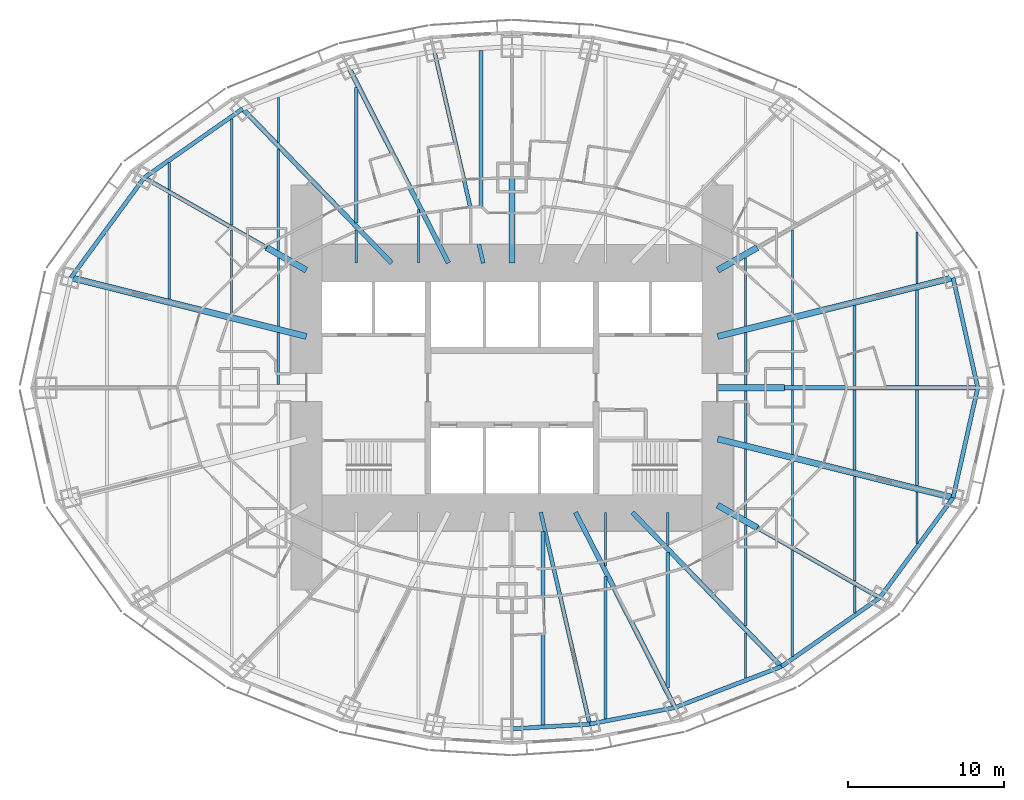
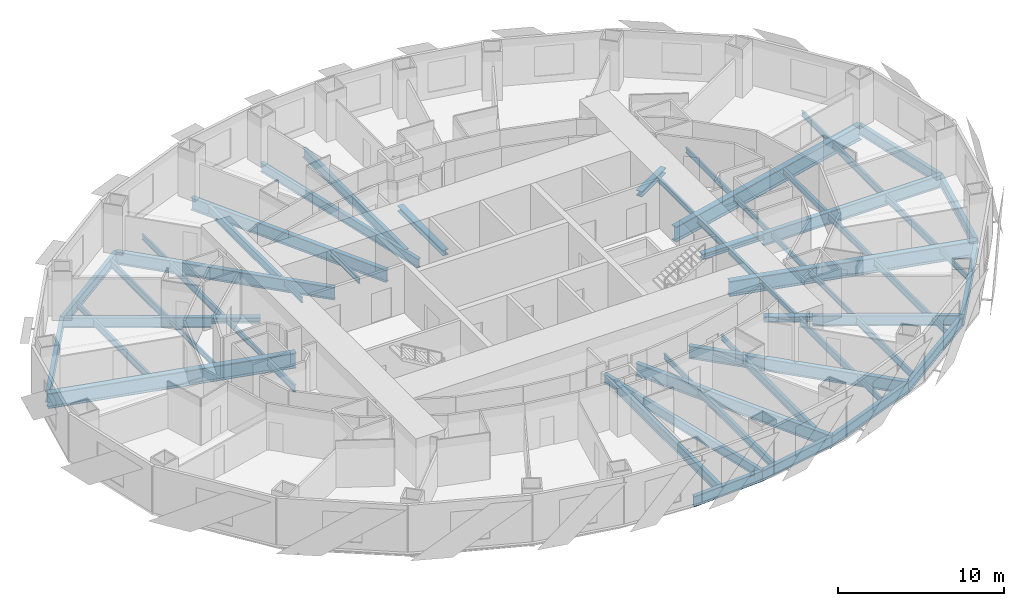
# One storey, part 2 of 15: 62 beams.
"""IFC4 building model written with IfcOpenShell, lengths in metres."""

from ifc_helpers import new_model, si_unit, direction, frame, origin, origin_2d, place, context, subcontext, project, spatial, i_section, extrude, material, material_profile, profile_set, type_object, element, save


model = new_model("IFC4")

# Units and contexts
model_context = context("Model", 3, precision=1e-05, world=origin(), true_north=direction((0.0, 1.0)))
body_context = subcontext(model_context, "Body", "Model", "MODEL_VIEW")
ifc_project = project(units=[si_unit("LENGTHUNIT", "METRE"), si_unit("AREAUNIT", "SQUARE_METRE"), si_unit("VOLUMEUNIT", "CUBIC_METRE"), si_unit("PLANEANGLEUNIT", "RADIAN"), si_unit("MASSUNIT", "GRAM", prefix="KILO")], contexts=[model_context])

# Site, building, storey
site_placement = place(None, origin())
site = spatial("IfcSite", under=ifc_project, at=site_placement, CompositionType="ELEMENT")
building_placement = place(site_placement, origin())
building = spatial("IfcBuilding", under=site, at=building_placement, Name="Lantaw Convention Tower", CompositionType="ELEMENT")
storey_placement = place(building_placement, frame((0.0, 0.0, 47.800048828125)))
storey = spatial("IfcBuildingStorey", under=building, at=storey_placement, Name="L09", CompositionType="ELEMENT", Elevation=47.800048828125)

# Beams
ifc_material = material(Name="Steel ASTM A992", Category="steel")
ifc_material_profile_1 = material_profile(ifc_material, i_section(OverallWidth=0.2666015625, OverallDepth=0.76953125, WebThickness=0.015625, FlangeThickness=0.025390625, FilletRadius=0.0126953125, at=origin_2d()), Name="W30X132")
ifc_profile_set_1 = profile_set([ifc_material_profile_1], Name="Steel ASTM A992")
beam_type_1 = type_object("IfcBeamType", Name="Beam E W30X132", PredefinedType="SPANDREL", material=ifc_profile_set_1)
beam_1_placement = place(storey_placement, frame((29.89990234375, 0.0, -0.534912109375), z_axis=(-0.218652184873, 0.975802860239, 0.0), x_axis=(-0.975802860239, -0.218652184873, 0.0)))
element("IfcBeam", 1, at=beam_1_placement, inside=storey, type_object=beam_type_1, Name="Edge beam 1", PredefinedType="SPANDREL", context=body_context, shape_type="SweptSolid", body=[
    extrude(i_section(OverallWidth=0.2666015625, OverallDepth=0.76953125, WebThickness=0.015625, FlangeThickness=0.025390625, FilletRadius=0.0126953125, at=origin_2d()), origin(), (0.0, 0.0, 1.0), 7.2353515625),
])
beam_2_placement = place(storey_placement, frame((-17.290771484375, 17.9052734375, -0.534912109375), z_axis=(-0.81942686407, -0.57318375277, 0.0), x_axis=(0.57318375277, -0.81942686407, 0.0)))
element("IfcBeam", 2, at=beam_2_placement, inside=storey, type_object=beam_type_1, Name="Edge beam 10", PredefinedType="SPANDREL", context=body_context, shape_type="SweptSolid", body=[
    extrude(i_section(OverallWidth=0.2666015625, OverallDepth=0.76953125, WebThickness=0.015625, FlangeThickness=0.025390625, FilletRadius=0.0126953125, at=origin_2d()), origin(), (0.0, 0.0, 1.0), 7.70556640625),
])
beam_3_placement = place(storey_placement, frame((-23.60498046875, 13.488525390625, -0.534912109375), z_axis=(-0.591270709086, -0.806473154281, 0.0), x_axis=(0.806473154281, -0.591270709086, 0.0)))
element("IfcBeam", 3, at=beam_3_placement, inside=storey, type_object=beam_type_1, Name="Edge beam 11", PredefinedType="SPANDREL", context=body_context, shape_type="SweptSolid", body=[
    extrude(i_section(OverallWidth=0.2666015625, OverallDepth=0.76953125, WebThickness=0.015625, FlangeThickness=0.025390625, FilletRadius=0.0126953125, at=origin_2d()), origin(), (0.0, 0.0, 1.0), 7.970703125),
])
beam_4_placement = place(storey_placement, frame((0.0, -21.89990234375, -0.534912109375), z_axis=(0.998173858406, 0.060406526096, 0.0), x_axis=(-0.060406526096, 0.998173858406, 0.0)))
element("IfcBeam", 4, at=beam_4_placement, inside=storey, type_object=beam_type_1, Name="Edge beam 19", PredefinedType="SPANDREL", context=body_context, shape_type="SweptSolid", body=[
    extrude(i_section(OverallWidth=0.2666015625, OverallDepth=0.76953125, WebThickness=0.015625, FlangeThickness=0.025390625, FilletRadius=0.0126953125, at=origin_2d()), origin(), (0.0, 0.0, 1.0), 4.995361328125),
])
beam_5_placement = place(storey_placement, frame((4.986328125, -21.59814453125, -0.534912109375), z_axis=(0.981636565323, 0.190760723474, 0.0), x_axis=(-0.190760723474, 0.981636565323, 0.0)))
element("IfcBeam", 5, at=beam_5_placement, inside=storey, type_object=beam_type_1, Name="Edge beam 20", PredefinedType="SPANDREL", context=body_context, shape_type="SweptSolid", body=[
    extrude(i_section(OverallWidth=0.2666015625, OverallDepth=0.76953125, WebThickness=0.015625, FlangeThickness=0.025390625, FilletRadius=0.0126953125, at=origin_2d()), origin(), (0.0, 0.0, 1.0), 5.578857421875),
])
beam_6_placement = place(storey_placement, frame((10.462646484375, -20.533935546875, -0.534912109375), z_axis=(0.933232900641, 0.359271976588, 0.0), x_axis=(-0.359271976588, 0.933232900641, 0.0)))
element("IfcBeam", 6, at=beam_6_placement, inside=storey, type_object=beam_type_1, Name="Edge beam 21", PredefinedType="SPANDREL", context=body_context, shape_type="SweptSolid", body=[
    extrude(i_section(OverallWidth=0.2666015625, OverallDepth=0.76953125, WebThickness=0.015625, FlangeThickness=0.025390625, FilletRadius=0.0126953125, at=origin_2d()), origin(), (0.0, 0.0, 1.0), 7.316650390625),
])
beam_7_placement = place(storey_placement, frame((17.290771484375, -17.9052734375, -0.534912109375), z_axis=(0.81942686407, 0.57318375277, 0.0), x_axis=(-0.57318375277, 0.81942686407, 0.0)))
element("IfcBeam", 7, at=beam_7_placement, inside=storey, type_object=beam_type_1, Name="Edge beam 22", PredefinedType="SPANDREL", context=body_context, shape_type="SweptSolid", body=[
    extrude(i_section(OverallWidth=0.2666015625, OverallDepth=0.76953125, WebThickness=0.015625, FlangeThickness=0.025390625, FilletRadius=0.0126953125, at=origin_2d()), origin(), (0.0, 0.0, 1.0), 7.70556640625),
])
beam_8_placement = place(storey_placement, frame((23.60498046875, -13.488525390625, -0.534912109375), z_axis=(0.591270709086, 0.806473154281, 0.0), x_axis=(-0.806473154281, 0.591270709086, 0.0)))
element("IfcBeam", 8, at=beam_8_placement, inside=storey, type_object=beam_type_1, Name="Edge beam 23", PredefinedType="SPANDREL", context=body_context, shape_type="SweptSolid", body=[
    extrude(i_section(OverallWidth=0.2666015625, OverallDepth=0.76953125, WebThickness=0.015625, FlangeThickness=0.025390625, FilletRadius=0.0126953125, at=origin_2d()), origin(), (0.0, 0.0, 1.0), 7.970703125),
])
beam_9_placement = place(storey_placement, frame((28.31787109375, -7.060302734375, -0.534912109375), z_axis=(0.218652184873, 0.975802860239, 0.0), x_axis=(-0.975802860239, 0.218652184873, 0.0)))
element("IfcBeam", 9, at=beam_9_placement, inside=storey, type_object=beam_type_1, Name="Edge beam 24", PredefinedType="SPANDREL", context=body_context, shape_type="SweptSolid", body=[
    extrude(i_section(OverallWidth=0.2666015625, OverallDepth=0.76953125, WebThickness=0.015625, FlangeThickness=0.025390625, FilletRadius=0.0126953125, at=origin_2d()), origin(), (0.0, 0.0, 1.0), 7.2353515625),
])
ifc_material_profile_2 = material_profile(ifc_material, i_section(OverallWidth=0.25390625, OverallDepth=0.683349609375, WebThickness=0.012451171875, FlangeThickness=0.01904296875, FilletRadius=0.01513671875, at=origin_2d()), Name="W27X94")
ifc_profile_set_2 = profile_set([ifc_material_profile_2], Name="Steel ASTM A992")
beam_type_2 = type_object("IfcBeamType", Name="Beam G W27X94", PredefinedType="BEAM", material=ifc_profile_set_2)
for number, where, z_axis, x_axis, name in (
    (10, (-1.846923828125, 8.0, -0.49169921875), (-0.224952773175, 0.97436966796, 0.0), (-0.97436966796, -0.224952773175, 0.0), "Floor girder on ray 8"),
    (11, (1.846923828125, -8.0, -0.49169921875), (0.224952773175, -0.97436966796, 0.0), (0.97436966796, 0.224952773175, 0.0), "Floor girder on ray 20"),
):
    element("IfcBeam", number, at=place(storey_placement, frame(where, z_axis=z_axis, x_axis=x_axis)), inside=storey, type_object=beam_type_2, Name=name, PredefinedType="BEAM", context=body_context, shape_type="SweptSolid", body=[
        extrude(i_section(OverallWidth=0.25390625, OverallDepth=0.683349609375, WebThickness=0.012451171875, FlangeThickness=0.01904296875, FilletRadius=0.01513671875, at=origin_2d()), origin(), (0.0, 0.0, 1.0), 13.955810546875),
    ])
ifc_material_profile_3 = material_profile(ifc_material, i_section(OverallWidth=0.2666015625, OverallDepth=0.7568359375, WebThickness=0.013916015625, FlangeThickness=0.019287109375, FilletRadius=0.0126953125, at=origin_2d()), Name="W30X108")
ifc_profile_set_3 = profile_set([ifc_material_profile_3], Name="Steel ASTM A992")
beam_type_3 = type_object("IfcBeamType", Name="Beam G W30X108", PredefinedType="BEAM", material=ifc_profile_set_3)
for number, where, z_axis, x_axis, name in (
    (12, (-15.75, 9.0, -0.528564453125), (-0.868244802791, 0.496136032179, 0.0), (-0.496136032179, -0.868244802791, 0.0), "Floor girder on ray 11"),
    (13, (15.75, -9.0, -0.528564453125), (0.868244802791, -0.496136032179, 0.0), (0.496136032179, 0.868244802791, 0.0), "Floor girder on ray 23"),
):
    element("IfcBeam", number, at=place(storey_placement, frame(where, z_axis=z_axis, x_axis=x_axis)), inside=storey, type_object=beam_type_3, Name=name, PredefinedType="BEAM", context=body_context, shape_type="SweptSolid", body=[
        extrude(i_section(OverallWidth=0.2666015625, OverallDepth=0.7568359375, WebThickness=0.013916015625, FlangeThickness=0.019287109375, FilletRadius=0.0126953125, at=origin_2d()), origin(), (0.0, 0.0, 1.0), 9.046875),
    ])
ifc_material_profile_4 = material_profile(ifc_material, i_section(OverallWidth=0.307373046875, OverallDepth=0.922119140625, WebThickness=0.018310546875, FlangeThickness=0.030029296875, FilletRadius=0.0126953125, at=origin_2d()), Name="W36X182")
ifc_profile_set_4 = profile_set([ifc_material_profile_4], Name="Steel ASTM A992")
beam_type_4 = type_object("IfcBeamType", Name="Beam G W36X182", PredefinedType="BEAM", material=ifc_profile_set_4)
beam_10_placement = place(storey_placement, frame((17.5, 0.0, -0.611083984375), z_axis=(1.0, 0.0, 0.0), x_axis=(0.0, 1.0, 0.0)))
element("IfcBeam", 14, at=beam_10_placement, inside=storey, type_object=beam_type_4, Name="Floor girder on ray 1", PredefinedType="BEAM", context=body_context, shape_type="SweptSolid", body=[
    extrude(i_section(OverallWidth=0.307373046875, OverallDepth=0.922119140625, WebThickness=0.018310546875, FlangeThickness=0.030029296875, FilletRadius=0.0126953125, at=origin_2d()), origin(), (0.0, 0.0, 1.0), 12.39990234375),
])
beam_11_placement = place(storey_placement, frame((-4.076171875, 8.0, -0.611083984375), z_axis=(-0.453997016122, 0.891003203896, 0.0), x_axis=(-0.891003203896, -0.453997016122, 0.0)))
element("IfcBeam", 15, at=beam_11_placement, inside=storey, type_object=beam_type_4, Name="Floor girder on ray 9", PredefinedType="BEAM", context=body_context, shape_type="SweptSolid", body=[
    extrude(i_section(OverallWidth=0.307373046875, OverallDepth=0.922119140625, WebThickness=0.018310546875, FlangeThickness=0.030029296875, FilletRadius=0.0126953125, at=origin_2d()), origin(), (0.0, 0.0, 1.0), 14.067138671875),
])
beam_12_placement = place(storey_placement, frame((-7.7255859375, 8.0, -0.611083984375), z_axis=(-0.694649884291, 0.719347995239, 0.0), x_axis=(-0.719347995239, -0.694649884291, 0.0)))
element("IfcBeam", 16, at=beam_12_placement, inside=storey, type_object=beam_type_4, Name="Floor girder on ray 10", PredefinedType="BEAM", context=body_context, shape_type="SweptSolid", body=[
    extrude(i_section(OverallWidth=0.307373046875, OverallDepth=0.922119140625, WebThickness=0.018310546875, FlangeThickness=0.030029296875, FilletRadius=0.0126953125, at=origin_2d()), origin(), (0.0, 0.0, 1.0), 13.769775390625),
])
beam_13_placement = place(storey_placement, frame((4.076171875, -8.0, -0.611083984375), z_axis=(0.453997016122, -0.891003203896, 0.0), x_axis=(0.891003203896, 0.453997016122, 0.0)))
element("IfcBeam", 17, at=beam_13_placement, inside=storey, type_object=beam_type_4, Name="Floor girder on ray 21", PredefinedType="BEAM", context=body_context, shape_type="SweptSolid", body=[
    extrude(i_section(OverallWidth=0.307373046875, OverallDepth=0.922119140625, WebThickness=0.018310546875, FlangeThickness=0.030029296875, FilletRadius=0.0126953125, at=origin_2d()), origin(), (0.0, 0.0, 1.0), 14.067138671875),
])
beam_14_placement = place(storey_placement, frame((7.7255859375, -8.0, -0.611083984375), z_axis=(0.694649884291, -0.719347995239, 0.0), x_axis=(0.719347995239, 0.694649884291, 0.0)))
element("IfcBeam", 18, at=beam_14_placement, inside=storey, type_object=beam_type_4, Name="Floor girder on ray 22", PredefinedType="BEAM", context=body_context, shape_type="SweptSolid", body=[
    extrude(i_section(OverallWidth=0.307373046875, OverallDepth=0.922119140625, WebThickness=0.018310546875, FlangeThickness=0.030029296875, FilletRadius=0.0126953125, at=origin_2d()), origin(), (0.0, 0.0, 1.0), 13.769775390625),
])
ifc_material_profile_5 = material_profile(ifc_material, i_section(OverallWidth=0.40380859375, OverallDepth=1.11767578125, WebThickness=0.026123046875, FlangeThickness=0.044921875, FilletRadius=0.02001953125, at=origin_2d()), Name="W44X335")
ifc_profile_set_5 = profile_set([ifc_material_profile_5], Name="Steel ASTM A992")
beam_type_5 = type_object("IfcBeamType", Name="Beam G W44X335", PredefinedType="BEAM", material=ifc_profile_set_5)
for number, where, z_axis, x_axis, name in (
    (19, (13.199951171875, 3.291015625, -0.708740234375), (0.970296233567, 0.241919860957, 0.0), (-0.241919860957, 0.970296233567, 0.0), "Floor girder on ray 2"),
    (20, (-13.199951171875, 3.291015625, -0.708740234375), (-0.970296233567, 0.241919860957, 0.0), (-0.241919860957, -0.970296233567, 0.0), "Floor girder on ray 12"),
    (21, (13.199951171875, -3.291015625, -0.708740234375), (0.970296233567, -0.241919860957, 0.0), (0.241919860957, 0.970296233567, 0.0), "Floor girder on ray 24"),
):
    element("IfcBeam", number, at=place(storey_placement, frame(where, z_axis=z_axis, x_axis=x_axis)), inside=storey, type_object=beam_type_5, Name=name, PredefinedType="BEAM", context=body_context, shape_type="SweptSolid", body=[
        extrude(i_section(OverallWidth=0.40380859375, OverallDepth=1.11767578125, WebThickness=0.026123046875, FlangeThickness=0.044921875, FilletRadius=0.02001953125, at=origin_2d()), origin(), (0.0, 0.0, 1.0), 15.580810546875),
    ])
ifc_material_profile_6 = material_profile(ifc_material, i_section(OverallWidth=0.40380859375, OverallDepth=0.406494140625, WebThickness=0.027099609375, FlangeThickness=0.043701171875, FilletRadius=0.01513671875, at=origin_2d()), Name="W14X233")
ifc_profile_set_6 = profile_set([ifc_material_profile_6], Name="Steel ASTM A992")
beam_type_6 = type_object("IfcBeamType", Name="Beam GM W14X233", PredefinedType="BEAM", material=ifc_profile_set_6)
beam_15_placement = place(storey_placement, frame((13.199951171875, 0.0, -0.353271484375), z_axis=(1.0, 0.0, 0.0), x_axis=(0.0, 1.0, 0.0)))
element("IfcBeam", 22, at=beam_15_placement, inside=storey, type_object=beam_type_6, Name="Core link beam on ray 1", PredefinedType="BEAM", context=body_context, shape_type="SweptSolid", body=[
    extrude(i_section(OverallWidth=0.40380859375, OverallDepth=0.406494140625, WebThickness=0.027099609375, FlangeThickness=0.043701171875, FilletRadius=0.01513671875, at=origin_2d()), origin(), (0.0, 0.0, 1.0), 4.300048828125),
])
beam_16_placement = place(storey_placement, frame((13.199951171875, 7.54296875, -0.353271484375), z_axis=(0.868263603466, 0.496103129295, 0.0), x_axis=(-0.496103129295, 0.868263603466, 0.0)))
element("IfcBeam", 23, at=beam_16_placement, inside=storey, type_object=beam_type_6, Name="Core link beam on ray 3", PredefinedType="BEAM", context=body_context, shape_type="SweptSolid", body=[
    extrude(i_section(OverallWidth=0.40380859375, OverallDepth=0.406494140625, WebThickness=0.027099609375, FlangeThickness=0.043701171875, FilletRadius=0.01513671875, at=origin_2d()), origin(), (0.0, 0.0, 1.0), 2.93701171875),
])
beam_17_placement = place(storey_placement, frame((0.0, 8.0, -0.353271484375), z_axis=(0.0, 1.0, 0.0), x_axis=(-1.0, 0.0, 0.0)))
element("IfcBeam", 24, at=beam_17_placement, inside=storey, type_object=beam_type_6, Name="Core link beam on ray 7", PredefinedType="BEAM", context=body_context, shape_type="SweptSolid", body=[
    extrude(i_section(OverallWidth=0.40380859375, OverallDepth=0.406494140625, WebThickness=0.027099609375, FlangeThickness=0.043701171875, FilletRadius=0.01513671875, at=origin_2d()), origin(), (0.0, 0.0, 1.0), 5.5),
])
for number, where, z_axis, x_axis, name in (
    (25, (-13.199951171875, 7.54296875, -0.353271484375), (-0.868263603466, 0.496103129295, 0.0), (-0.496103129295, -0.868263603466, 0.0), "Core link beam on ray 11"),
    (26, (13.199951171875, -7.54296875, -0.353271484375), (0.868263603466, -0.496103129295, 0.0), (0.496103129295, 0.868263603466, 0.0), "Core link beam on ray 23"),
):
    element("IfcBeam", number, at=place(storey_placement, frame(where, z_axis=z_axis, x_axis=x_axis)), inside=storey, type_object=beam_type_6, Name=name, PredefinedType="BEAM", context=body_context, shape_type="SweptSolid", body=[
        extrude(i_section(OverallWidth=0.40380859375, OverallDepth=0.406494140625, WebThickness=0.027099609375, FlangeThickness=0.043701171875, FilletRadius=0.01513671875, at=origin_2d()), origin(), (0.0, 0.0, 1.0), 2.93701171875),
    ])
ifc_material_profile_7 = material_profile(ifc_material, i_section(OverallWidth=0.140380859375, OverallDepth=0.40380859375, WebThickness=0.007080078125, FlangeThickness=0.01123046875, FilletRadius=0.01025390625, at=origin_2d()), Name="W16X31")
ifc_profile_set_7 = profile_set([ifc_material_profile_7], Name="Steel ASTM A992")
beam_type_7 = type_object("IfcBeamType", Name="Beam J W16X31", PredefinedType="JOIST", material=ifc_profile_set_7)
beam_18_placement = place(storey_placement, frame((-22.0, 12.72509765625, -0.35205078125), z_axis=(0.0, 1.0, 0.0), x_axis=(-1.0, 0.0, 0.0)))
element("IfcBeam", 27, at=beam_18_placement, inside=storey, type_object=beam_type_7, Name="Floor joist", PredefinedType="JOIST", context=body_context, shape_type="SweptSolid", body=[
    extrude(i_section(OverallWidth=0.140380859375, OverallDepth=0.40380859375, WebThickness=0.007080078125, FlangeThickness=0.01123046875, FilletRadius=0.01025390625, at=origin_2d()), origin(), (0.0, 0.0, 1.0), 1.723388671875),
])
beam_19_placement = place(storey_placement, frame((-18.0, 4.696044921875, -0.35205078125), z_axis=(0.0, 1.0, 0.0), x_axis=(-1.0, 0.0, 0.0)))
element("IfcBeam", 28, at=beam_19_placement, inside=storey, type_object=beam_type_7, Name="Floor joist", PredefinedType="JOIST", context=body_context, shape_type="SweptSolid", body=[
    extrude(i_section(OverallWidth=0.140380859375, OverallDepth=0.40380859375, WebThickness=0.007080078125, FlangeThickness=0.01123046875, FilletRadius=0.01025390625, at=origin_2d()), origin(), (0.0, 0.0, 1.0), 5.43603515625),
])
beam_20_placement = place(storey_placement, frame((-15.0, 3.947998046875, -0.35205078125), z_axis=(0.0, 1.0, 0.0), x_axis=(-1.0, 0.0, 0.0)))
element("IfcBeam", 29, at=beam_20_placement, inside=storey, type_object=beam_type_7, Name="Floor joist", PredefinedType="JOIST", context=body_context, shape_type="SweptSolid", body=[
    extrude(i_section(OverallWidth=0.140380859375, OverallDepth=0.40380859375, WebThickness=0.007080078125, FlangeThickness=0.01123046875, FilletRadius=0.01025390625, at=origin_2d()), origin(), (0.0, 0.0, 1.0), 4.390869140625),
])
beam_21_placement = place(storey_placement, frame((-15.0, 15.754150390625, -0.35205078125), z_axis=(0.0, 1.0, 0.0), x_axis=(-1.0, 0.0, 0.0)))
element("IfcBeam", 30, at=beam_21_placement, inside=storey, type_object=beam_type_7, Name="Floor joist", PredefinedType="JOIST", context=body_context, shape_type="SweptSolid", body=[
    extrude(i_section(OverallWidth=0.140380859375, OverallDepth=0.40380859375, WebThickness=0.007080078125, FlangeThickness=0.01123046875, FilletRadius=0.01025390625, at=origin_2d()), origin(), (0.0, 0.0, 1.0), 2.89013671875),
])
beam_22_placement = place(storey_placement, frame((-10.0, 8.0, -0.35205078125), z_axis=(0.0, 1.0, 0.0), x_axis=(-1.0, 0.0, 0.0)))
element("IfcBeam", 31, at=beam_22_placement, inside=storey, type_object=beam_type_7, Name="Floor joist", PredefinedType="JOIST", context=body_context, shape_type="SweptSolid", body=[
    extrude(i_section(OverallWidth=0.140380859375, OverallDepth=0.40380859375, WebThickness=0.007080078125, FlangeThickness=0.01123046875, FilletRadius=0.01025390625, at=origin_2d()), origin(), (0.0, 0.0, 1.0), 2.134033203125),
])
for number, where, z_axis, x_axis, name in (
    (32, (-6.0, 8.0, -0.35205078125), (0.0, 1.0, 0.0), (-1.0, 0.0, 0.0), "Floor joist"),
    (33, (6.0, -11.437255859375, -0.35205078125), (0.0, 1.0, 0.0), (-1.0, 0.0, 0.0), "Floor joist"),
):
    element("IfcBeam", number, at=place(storey_placement, frame(where, z_axis=z_axis, x_axis=x_axis)), inside=storey, type_object=beam_type_7, Name=name, PredefinedType="JOIST", context=body_context, shape_type="SweptSolid", body=[
        extrude(i_section(OverallWidth=0.140380859375, OverallDepth=0.40380859375, WebThickness=0.007080078125, FlangeThickness=0.01123046875, FilletRadius=0.01025390625, at=origin_2d()), origin(), (0.0, 0.0, 1.0), 3.437255859375),
    ])
beam_23_placement = place(storey_placement, frame((10.0, -10.134033203125, -0.35205078125), z_axis=(0.0, 1.0, 0.0), x_axis=(-1.0, 0.0, 0.0)))
element("IfcBeam", 34, at=beam_23_placement, inside=storey, type_object=beam_type_7, Name="Floor joist", PredefinedType="JOIST", context=body_context, shape_type="SweptSolid", body=[
    extrude(i_section(OverallWidth=0.140380859375, OverallDepth=0.40380859375, WebThickness=0.007080078125, FlangeThickness=0.01123046875, FilletRadius=0.01025390625, at=origin_2d()), origin(), (0.0, 0.0, 1.0), 2.134033203125),
])
beam_24_placement = place(storey_placement, frame((15.0, -18.644287109375, -0.35205078125), z_axis=(0.0, 1.0, 0.0), x_axis=(-1.0, 0.0, 0.0)))
element("IfcBeam", 35, at=beam_24_placement, inside=storey, type_object=beam_type_7, Name="Floor joist", PredefinedType="JOIST", context=body_context, shape_type="SweptSolid", body=[
    extrude(i_section(OverallWidth=0.140380859375, OverallDepth=0.40380859375, WebThickness=0.007080078125, FlangeThickness=0.01123046875, FilletRadius=0.01025390625, at=origin_2d()), origin(), (0.0, 0.0, 1.0), 2.89013671875),
])
for number, where, z_axis, x_axis, name in (
    (36, (15.0, -8.3388671875, -0.35205078125), (0.0, 1.0, 0.0), (-1.0, 0.0, 0.0), "Floor joist"),
    (37, (15.0, 3.947998046875, -0.35205078125), (0.0, 1.0, 0.0), (-1.0, 0.0, 0.0), "Floor joist"),
):
    element("IfcBeam", number, at=place(storey_placement, frame(where, z_axis=z_axis, x_axis=x_axis)), inside=storey, type_object=beam_type_7, Name=name, PredefinedType="JOIST", context=body_context, shape_type="SweptSolid", body=[
        extrude(i_section(OverallWidth=0.140380859375, OverallDepth=0.40380859375, WebThickness=0.007080078125, FlangeThickness=0.01123046875, FilletRadius=0.01025390625, at=origin_2d()), origin(), (0.0, 0.0, 1.0), 4.390869140625),
    ])
beam_25_placement = place(storey_placement, frame((18.0, -10.132080078125, -0.35205078125), z_axis=(0.0, 1.0, 0.0), x_axis=(-1.0, 0.0, 0.0)))
element("IfcBeam", 38, at=beam_25_placement, inside=storey, type_object=beam_type_7, Name="Floor joist", PredefinedType="JOIST", context=body_context, shape_type="SweptSolid", body=[
    extrude(i_section(OverallWidth=0.140380859375, OverallDepth=0.40380859375, WebThickness=0.007080078125, FlangeThickness=0.01123046875, FilletRadius=0.01025390625, at=origin_2d()), origin(), (0.0, 0.0, 1.0), 5.43603515625),
])
for number, where, z_axis, x_axis, name in (
    (39, (18.0, -4.27978515625, -0.35205078125), (0.0, 1.0, 0.0), (-1.0, 0.0, 0.0), "Floor joist"),
    (40, (18.0, 0.153564453125, -0.35205078125), (0.0, 1.0, 0.0), (-1.0, 0.0, 0.0), "Floor joist"),
):
    element("IfcBeam", number, at=place(storey_placement, frame(where, z_axis=z_axis, x_axis=x_axis)), inside=storey, type_object=beam_type_7, Name=name, PredefinedType="JOIST", context=body_context, shape_type="SweptSolid", body=[
        extrude(i_section(OverallWidth=0.140380859375, OverallDepth=0.40380859375, WebThickness=0.007080078125, FlangeThickness=0.01123046875, FilletRadius=0.01025390625, at=origin_2d()), origin(), (0.0, 0.0, 1.0), 4.126220703125),
    ])
beam_26_placement = place(storey_placement, frame((18.0, 4.696044921875, -0.35205078125), z_axis=(0.0, 1.0, 0.0), x_axis=(-1.0, 0.0, 0.0)))
element("IfcBeam", 41, at=beam_26_placement, inside=storey, type_object=beam_type_7, Name="Floor joist", PredefinedType="JOIST", context=body_context, shape_type="SweptSolid", body=[
    extrude(i_section(OverallWidth=0.140380859375, OverallDepth=0.40380859375, WebThickness=0.007080078125, FlangeThickness=0.01123046875, FilletRadius=0.01025390625, at=origin_2d()), origin(), (0.0, 0.0, 1.0), 5.43603515625),
])
beam_27_placement = place(storey_placement, frame((22.0, -14.448486328125, -0.35205078125), z_axis=(0.0, 1.0, 0.0), x_axis=(-1.0, 0.0, 0.0)))
element("IfcBeam", 42, at=beam_27_placement, inside=storey, type_object=beam_type_7, Name="Floor joist", PredefinedType="JOIST", context=body_context, shape_type="SweptSolid", body=[
    extrude(i_section(OverallWidth=0.140380859375, OverallDepth=0.40380859375, WebThickness=0.007080078125, FlangeThickness=0.01123046875, FilletRadius=0.01025390625, at=origin_2d()), origin(), (0.0, 0.0, 1.0), 1.723388671875),
])
for number, where, z_axis, x_axis, name in (
    (43, (26.0, -9.996337890625, -0.35205078125), (0.0, 1.0, 0.0), (-1.0, 0.0, 0.0), "Floor joist"),
    (44, (26.0, 6.690673828125, -0.35205078125), (0.0, 1.0, 0.0), (-1.0, 0.0, 0.0), "Floor joist"),
):
    element("IfcBeam", number, at=place(storey_placement, frame(where, z_axis=z_axis, x_axis=x_axis)), inside=storey, type_object=beam_type_7, Name=name, PredefinedType="JOIST", context=body_context, shape_type="SweptSolid", body=[
        extrude(i_section(OverallWidth=0.140380859375, OverallDepth=0.40380859375, WebThickness=0.007080078125, FlangeThickness=0.01123046875, FilletRadius=0.01025390625, at=origin_2d()), origin(), (0.0, 0.0, 1.0), 3.3056640625),
    ])
ifc_material_profile_8 = material_profile(ifc_material, i_section(OverallWidth=0.1904296875, OverallDepth=0.457275390625, WebThickness=0.009033203125, FlangeThickness=0.014404296875, FilletRadius=0.01025390625, at=origin_2d()), Name="W18X50")
ifc_profile_set_8 = profile_set([ifc_material_profile_8], Name="Steel ASTM A992")
beam_type_8 = type_object("IfcBeamType", Name="Beam J W18X50", PredefinedType="JOIST", material=ifc_profile_set_8)
for number, where, z_axis, x_axis, name in (
    (45, (22.0, -5.277099609375, -0.378662109375), (0.0, 1.0, 0.0), (-1.0, 0.0, 0.0), "Floor joist"),
    (46, (22.0, 0.153564453125, -0.378662109375), (0.0, 1.0, 0.0), (-1.0, 0.0, 0.0), "Floor joist"),
):
    element("IfcBeam", number, at=place(storey_placement, frame(where, z_axis=z_axis, x_axis=x_axis)), inside=storey, type_object=beam_type_8, Name=name, PredefinedType="JOIST", context=body_context, shape_type="SweptSolid", body=[
        extrude(i_section(OverallWidth=0.1904296875, OverallDepth=0.457275390625, WebThickness=0.009033203125, FlangeThickness=0.014404296875, FilletRadius=0.01025390625, at=origin_2d()), origin(), (0.0, 0.0, 1.0), 5.12353515625),
    ])
ifc_material_profile_9 = material_profile(ifc_material, i_section(OverallWidth=0.1650390625, OverallDepth=0.52587890625, WebThickness=0.0087890625, FlangeThickness=0.011474609375, FilletRadius=0.0126953125, at=origin_2d()), Name="W21X44")
ifc_profile_set_9 = profile_set([ifc_material_profile_9], Name="Steel ASTM A992")
beam_type_9 = type_object("IfcBeamType", Name="Beam J W21X44", PredefinedType="JOIST", material=ifc_profile_set_9)
beam_28_placement = place(storey_placement, frame((-22.0, 5.693359375, -0.412841796875), z_axis=(0.0, 1.0, 0.0), x_axis=(-1.0, 0.0, 0.0)))
element("IfcBeam", 47, at=beam_28_placement, inside=storey, type_object=beam_type_9, Name="Floor joist", PredefinedType="JOIST", context=body_context, shape_type="SweptSolid", body=[
    extrude(i_section(OverallWidth=0.1650390625, OverallDepth=0.52587890625, WebThickness=0.0087890625, FlangeThickness=0.011474609375, FilletRadius=0.0126953125, at=origin_2d()), origin(), (0.0, 0.0, 1.0), 6.724609375),
])
beam_29_placement = place(storey_placement, frame((-18.0, 10.439208984375, -0.412841796875), z_axis=(0.0, 1.0, 0.0), x_axis=(-1.0, 0.0, 0.0)))
element("IfcBeam", 48, at=beam_29_placement, inside=storey, type_object=beam_type_9, Name="Floor joist", PredefinedType="JOIST", context=body_context, shape_type="SweptSolid", body=[
    extrude(i_section(OverallWidth=0.1650390625, OverallDepth=0.52587890625, WebThickness=0.0087890625, FlangeThickness=0.011474609375, FilletRadius=0.0126953125, at=origin_2d()), origin(), (0.0, 0.0, 1.0), 6.80712890625),
])
for number, where, z_axis, x_axis, name in (
    (49, (-15.0, 8.803955078125, -0.412841796875), (0.0, 1.0, 0.0), (-1.0, 0.0, 0.0), "Floor joist"),
    (50, (15.0, -15.311767578125, -0.412841796875), (0.0, 1.0, 0.0), (-1.0, 0.0, 0.0), "Floor joist"),
):
    element("IfcBeam", number, at=place(storey_placement, frame(where, z_axis=z_axis, x_axis=x_axis)), inside=storey, type_object=beam_type_9, Name=name, PredefinedType="JOIST", context=body_context, shape_type="SweptSolid", body=[
        extrude(i_section(OverallWidth=0.1650390625, OverallDepth=0.52587890625, WebThickness=0.0087890625, FlangeThickness=0.011474609375, FilletRadius=0.0126953125, at=origin_2d()), origin(), (0.0, 0.0, 1.0), 6.5078125),
    ])
beam_30_placement = place(storey_placement, frame((18.0, -17.246337890625, -0.412841796875), z_axis=(0.0, 1.0, 0.0), x_axis=(-1.0, 0.0, 0.0)))
element("IfcBeam", 51, at=beam_30_placement, inside=storey, type_object=beam_type_9, Name="Floor joist", PredefinedType="JOIST", context=body_context, shape_type="SweptSolid", body=[
    extrude(i_section(OverallWidth=0.1650390625, OverallDepth=0.52587890625, WebThickness=0.0087890625, FlangeThickness=0.011474609375, FilletRadius=0.0126953125, at=origin_2d()), origin(), (0.0, 0.0, 1.0), 6.80712890625),
])
beam_31_placement = place(storey_placement, frame((22.0, -12.41796875, -0.412841796875), z_axis=(0.0, 1.0, 0.0), x_axis=(-1.0, 0.0, 0.0)))
element("IfcBeam", 52, at=beam_31_placement, inside=storey, type_object=beam_type_9, Name="Floor joist", PredefinedType="JOIST", context=body_context, shape_type="SweptSolid", body=[
    extrude(i_section(OverallWidth=0.1650390625, OverallDepth=0.52587890625, WebThickness=0.0087890625, FlangeThickness=0.011474609375, FilletRadius=0.0126953125, at=origin_2d()), origin(), (0.0, 0.0, 1.0), 6.724609375),
])
ifc_material_profile_10 = material_profile(ifc_material, i_section(OverallWidth=0.165771484375, OverallDepth=0.5283203125, WebThickness=0.009765625, FlangeThickness=0.013671875, FilletRadius=0.012939453125, at=origin_2d()), Name="W21X50")
ifc_profile_set_10 = profile_set([ifc_material_profile_10], Name="Steel ASTM A992")
beam_type_10 = type_object("IfcBeamType", Name="Beam J W21X50", PredefinedType="JOIST", material=ifc_profile_set_10)
for number, where, z_axis, x_axis, name in (
    (53, (-15.0, 0.201904296875, -0.414306640625), (0.0, 1.0, 0.0), (-1.0, 0.0, 0.0), "Floor joist"),
    (54, (15.0, -3.53173828125, -0.414306640625), (0.0, 1.0, 0.0), (-1.0, 0.0, 0.0), "Floor joist"),
    (55, (15.0, 0.201904296875, -0.414306640625), (0.0, 1.0, 0.0), (-1.0, 0.0, 0.0), "Floor joist"),
):
    element("IfcBeam", number, at=place(storey_placement, frame(where, z_axis=z_axis, x_axis=x_axis)), inside=storey, type_object=beam_type_10, Name=name, PredefinedType="JOIST", context=body_context, shape_type="SweptSolid", body=[
        extrude(i_section(OverallWidth=0.165771484375, OverallDepth=0.5283203125, WebThickness=0.009765625, FlangeThickness=0.013671875, FilletRadius=0.012939453125, at=origin_2d()), origin(), (0.0, 0.0, 1.0), 3.329833984375),
    ])
for number, where, z_axis, x_axis, name in (
    (56, (26.0, -6.2744140625, -0.414306640625), (0.0, 1.0, 0.0), (-1.0, 0.0, 0.0), "Floor joist"),
    (57, (26.0, 0.153564453125, -0.414306640625), (0.0, 1.0, 0.0), (-1.0, 0.0, 0.0), "Floor joist"),
):
    element("IfcBeam", number, at=place(storey_placement, frame(where, z_axis=z_axis, x_axis=x_axis)), inside=storey, type_object=beam_type_10, Name=name, PredefinedType="JOIST", context=body_context, shape_type="SweptSolid", body=[
        extrude(i_section(OverallWidth=0.165771484375, OverallDepth=0.5283203125, WebThickness=0.009765625, FlangeThickness=0.013671875, FilletRadius=0.012939453125, at=origin_2d()), origin(), (0.0, 0.0, 1.0), 6.120849609375),
    ])
ifc_material_profile_11 = material_profile(ifc_material, i_section(OverallWidth=0.2099609375, OverallDepth=0.535888671875, WebThickness=0.010986328125, FlangeThickness=0.017333984375, FilletRadius=0.012939453125, at=origin_2d()), Name="W21X68")
ifc_profile_set_11 = profile_set([ifc_material_profile_11], Name="Steel ASTM A992")
beam_type_11 = type_object("IfcBeamType", Name="Beam J W21X68", PredefinedType="JOIST", material=ifc_profile_set_11)
beam_32_placement = place(storey_placement, frame((6.0, -21.26513671875, -0.41796875), z_axis=(0.0, 1.0, 0.0), x_axis=(-1.0, 0.0, 0.0)))
element("IfcBeam", 58, at=beam_32_placement, inside=storey, type_object=beam_type_11, Name="Floor joist", PredefinedType="JOIST", context=body_context, shape_type="SweptSolid", body=[
    extrude(i_section(OverallWidth=0.2099609375, OverallDepth=0.535888671875, WebThickness=0.010986328125, FlangeThickness=0.017333984375, FilletRadius=0.012939453125, at=origin_2d()), origin(), (0.0, 0.0, 1.0), 9.15087890625),
])
ifc_material_profile_12 = material_profile(ifc_material, i_section(OverallWidth=0.227783203125, OverallDepth=0.60205078125, WebThickness=0.010498046875, FlangeThickness=0.014892578125, FilletRadius=0.012939453125, at=origin_2d()), Name="W24X68")
ifc_profile_set_12 = profile_set([ifc_material_profile_12], Name="Steel ASTM A992")
beam_type_12 = type_object("IfcBeamType", Name="Beam J W24X68", PredefinedType="JOIST", material=ifc_profile_set_12)
for number, where, z_axis, x_axis, name in (
    (59, (-10.0, 10.576416015625, -0.450927734375), (0.0, 1.0, 0.0), (-1.0, 0.0, 0.0), "Floor joist"),
    (60, (10.0, -19.28759765625, -0.450927734375), (0.0, 1.0, 0.0), (-1.0, 0.0, 0.0), "Floor joist"),
):
    element("IfcBeam", number, at=place(storey_placement, frame(where, z_axis=z_axis, x_axis=x_axis)), inside=storey, type_object=beam_type_12, Name=name, PredefinedType="JOIST", context=body_context, shape_type="SweptSolid", body=[
        extrude(i_section(OverallWidth=0.227783203125, OverallDepth=0.60205078125, WebThickness=0.010498046875, FlangeThickness=0.014892578125, FilletRadius=0.012939453125, at=origin_2d()), origin(), (0.0, 0.0, 1.0), 8.711181640625),
    ])
ifc_material_profile_13 = material_profile(ifc_material, i_section(OverallWidth=0.25390625, OverallDepth=0.700927734375, WebThickness=0.015380859375, FlangeThickness=0.02783203125, FilletRadius=0.01513671875, at=origin_2d()), Name="W27X129")
ifc_profile_set_13 = profile_set([ifc_material_profile_13], Name="Steel ASTM A992")
beam_type_13 = type_object("IfcBeamType", Name="Beam J W27X129", PredefinedType="JOIST", material=ifc_profile_set_13)
for number, where, z_axis, x_axis, name in (
    (61, (-2.0, 9.2275390625, -0.50048828125), (0.0, 1.0, 0.0), (-1.0, 0.0, 0.0), "Floor joist"),
    (62, (2.0, -21.645263671875, -0.50048828125), (0.0, 1.0, 0.0), (-1.0, 0.0, 0.0), "Floor joist"),
):
    element("IfcBeam", number, at=place(storey_placement, frame(where, z_axis=z_axis, x_axis=x_axis)), inside=storey, type_object=beam_type_13, Name=name, PredefinedType="JOIST", context=body_context, shape_type="SweptSolid", body=[
        extrude(i_section(OverallWidth=0.25390625, OverallDepth=0.700927734375, WebThickness=0.015380859375, FlangeThickness=0.02783203125, FilletRadius=0.01513671875, at=origin_2d()), origin(), (0.0, 0.0, 1.0), 12.417724609375),
    ])

save(model, "model.ifc")
